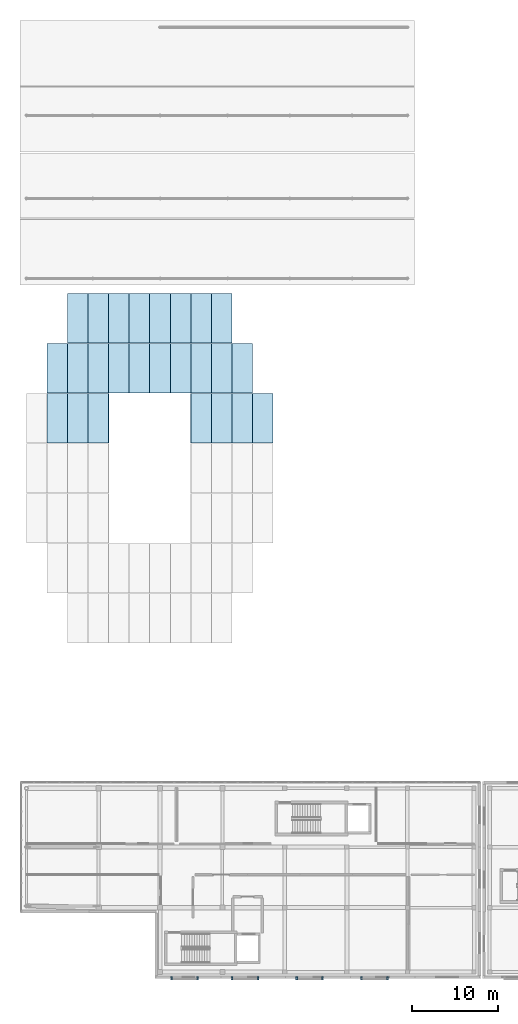
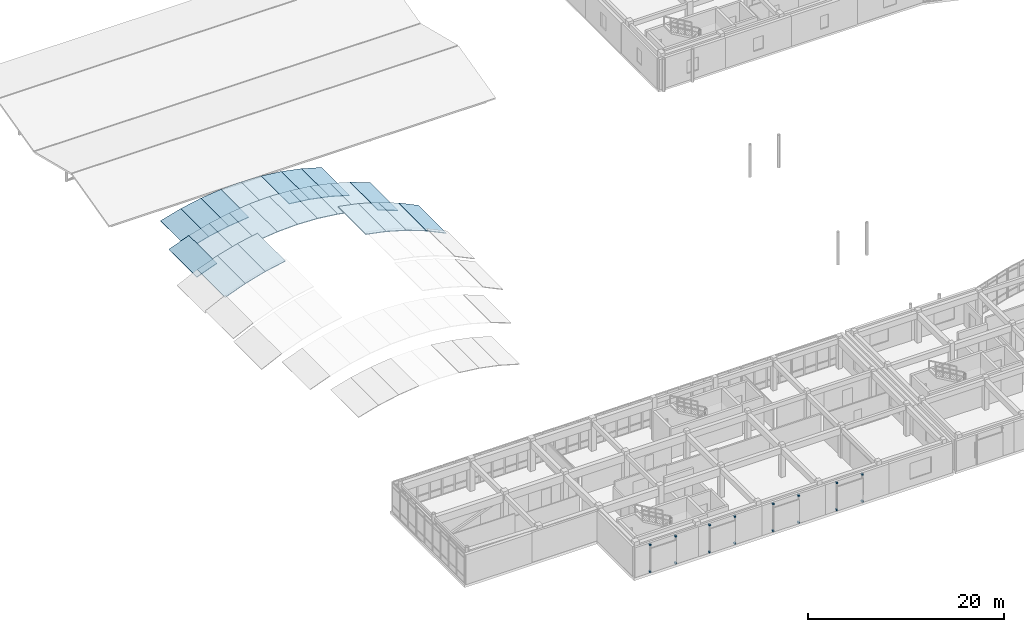
# One storey, part 85 of 91: 25 roofs, 16 discrete accessories.
"""IFC4 building model written with IfcOpenShell, lengths in metres."""

from ifc_helpers import new_model, si_unit, direction, frame, origin, origin_2d, place, context, subcontext, project, spatial, polyline, rectangle, outline, extrude, material, layer, layer_set, type_object, element, save


model = new_model("IFC4")

# Units and contexts
model_context = context("Model", 3, precision=1e-05, world=origin(), true_north=direction((0.0, 1.0)))
body_context = subcontext(model_context, "Body", "Model", "MODEL_VIEW")
ifc_project = project(units=[si_unit("LENGTHUNIT", "METRE"), si_unit("AREAUNIT", "SQUARE_METRE"), si_unit("VOLUMEUNIT", "CUBIC_METRE"), si_unit("PLANEANGLEUNIT", "RADIAN"), si_unit("MASSUNIT", "GRAM", prefix="KILO")], contexts=[model_context])

# Site, building, storey
site_placement = place(None, origin())
site = spatial("IfcSite", under=ifc_project, at=site_placement, CompositionType="ELEMENT")
building_placement = place(site_placement, origin())
building = spatial("IfcBuilding", under=site, at=building_placement, Name="Valcora Specialist Clinic", CompositionType="ELEMENT")
storey_placement = place(building_placement, frame((0.0, 0.0, 13.60009765625)))
storey = spatial("IfcBuildingStorey", under=building, at=storey_placement, Name="L03", CompositionType="ELEMENT", Elevation=13.60009765625)

# Roofs
ifc_material_1 = material(Name="Anodized Bronze Aluminium 6063-T6", Category="aluminium")
roof_type = type_object("IfcRoofType", Name="TY-RF-GS", PredefinedType="BARREL_ROOF", material=ifc_material_1)
roof_1_placement = place(storey_placement, frame((3.125, 61.93310546875, 1.83447265625), z_axis=(-0.352809417059, 0.0, 0.935695204238), x_axis=(0.935695204238, 0.0, 0.352809417059)))
element("IfcRoof", 1, at=roof_1_placement, inside=storey, type_object=roof_type, Name="Volume 1 parabolic gridshell vault facet 50", PredefinedType="BARREL_ROOF", context=body_context, shape_type="SweptSolid", body=[
    extrude(outline(polyline([(0.0, 0.0), (2.538219699365785, 0.0), (2.538219699365785, 5.705810546875001), (0.0, 5.705810546875001), (0.0, 0.0)])), origin(), (0.0, 0.0, -1.0), 0.080078125),
])
roof_2_placement = place(storey_placement, frame((5.5, 61.93310546875, 2.72998046875), z_axis=(-0.274407777259, 0.0, 0.961613421173), x_axis=(0.961613421173, 0.0, 0.274407777259)))
element("IfcRoof", 2, at=roof_2_placement, inside=storey, type_object=roof_type, Name="Volume 1 parabolic gridshell vault facet 51", PredefinedType="BARREL_ROOF", context=body_context, shape_type="SweptSolid", body=[
    extrude(outline(polyline([(0.0, 0.0), (2.4698074587013137, 0.0), (2.4698074587013137, 5.705810546875001), (0.0, 5.705810546875001), (0.0, 0.0)])), origin(), (0.0, 0.0, -1.0), 0.080078125),
])
for number, where, z_axis, x_axis, name in (
    (3, (7.875, 61.93310546875, 3.40771484375), (-0.19605798036, 0.0, 0.980592304853), (0.980592304853, 0.0, 0.19605798036), "Volume 1 parabolic gridshell vault facet 52"),
    (4, (19.75, 61.93310546875, 3.882568359375), (0.19605798036, 0.0, 0.980592304853), (0.980592304853, 0.0, -0.19605798036), "Volume 1 parabolic gridshell vault facet 57"),
):
    element("IfcRoof", number, at=place(storey_placement, frame(where, z_axis=z_axis, x_axis=x_axis)), inside=storey, type_object=roof_type, Name=name, PredefinedType="BARREL_ROOF", context=body_context, shape_type="SweptSolid", body=[
        extrude(outline(polyline([(0.0, 0.0), (2.4220055452664475, 0.0), (2.4220055452664475, 5.705810546875), (0.0, 5.705810546875), (0.0, 0.0)])), origin(), (0.0, 0.0, -1.0), 0.080078125),
    ])
roof_3_placement = place(storey_placement, frame((22.125, 61.93310546875, 3.40771484375), z_axis=(0.274407777259, 0.0, 0.961613421173), x_axis=(0.961613421173, 0.0, -0.274407777259)))
element("IfcRoof", 5, at=roof_3_placement, inside=storey, type_object=roof_type, Name="Volume 1 parabolic gridshell vault facet 58", PredefinedType="BARREL_ROOF", context=body_context, shape_type="SweptSolid", body=[
    extrude(outline(polyline([(0.0, 0.0), (2.4698074587013137, 0.0), (2.4698074587013137, 5.705810546875001), (0.0, 5.705810546875001), (0.0, 0.0)])), origin(), (0.0, 0.0, -1.0), 0.080078125),
])
roof_4_placement = place(storey_placement, frame((24.5, 61.93310546875, 2.72998046875), z_axis=(0.352809417059, 0.0, 0.935695204238), x_axis=(0.935695204238, 0.0, -0.352809417059)))
element("IfcRoof", 6, at=roof_4_placement, inside=storey, type_object=roof_type, Name="Volume 1 parabolic gridshell vault facet 59", PredefinedType="BARREL_ROOF", context=body_context, shape_type="SweptSolid", body=[
    extrude(outline(polyline([(0.0, 0.0), (2.538219699365785, 0.0), (2.538219699365785, 5.705810546875001), (0.0, 5.705810546875001), (0.0, 0.0)])), origin(), (0.0, 0.0, -1.0), 0.080078125),
])
roof_5_placement = place(storey_placement, frame((26.875, 61.93310546875, 1.83447265625), z_axis=(0.431265146028, 0.0, 0.902225234529), x_axis=(0.902225234529, 0.0, -0.431265146028)))
element("IfcRoof", 7, at=roof_5_placement, inside=storey, type_object=roof_type, Name="Volume 1 parabolic gridshell vault facet 60", PredefinedType="BARREL_ROOF", context=body_context, shape_type="SweptSolid", body=[
    extrude(outline(polyline([(0.0, 0.0), (2.632380373664848, 0.0), (2.632380373664848, 5.705810546875), (0.0, 5.705810546875), (0.0, 0.0)])), origin(), (0.0, 0.0, -1.0), 0.080078125),
])
roof_6_placement = place(storey_placement, frame((3.125, 67.718994140625, 0.853515625), z_axis=(-0.352809417059, 0.0, 0.935695204238), x_axis=(0.935695204238, 0.0, 0.352809417059)))
element("IfcRoof", 8, at=roof_6_placement, inside=storey, type_object=roof_type, Name="Volume 1 parabolic gridshell vault facet 62", PredefinedType="BARREL_ROOF", context=body_context, shape_type="SweptSolid", body=[
    extrude(outline(polyline([(0.0, 0.0), (2.538219699365785, 0.0), (2.538219699365785, 5.705078125000001), (0.0, 5.705078125000001), (0.0, 0.0)])), origin(), (0.0, 0.0, -1.0), 0.080078125),
])
roof_7_placement = place(storey_placement, frame((5.5, 67.718994140625, 1.7490234375), z_axis=(-0.27449918023, 0.0, 0.961587333555), x_axis=(0.961587333555, 0.0, 0.27449918023)))
element("IfcRoof", 9, at=roof_7_placement, inside=storey, type_object=roof_type, Name="Volume 1 parabolic gridshell vault facet 63", PredefinedType="BARREL_ROOF", context=body_context, shape_type="SweptSolid", body=[
    extrude(outline(polyline([(0.0, 0.0), (2.469874463945299, 0.0), (2.469874463945299, 5.705078125), (0.0, 5.705078125), (0.0, 0.0)])), origin(), (0.0, 0.0, -1.0), 0.080078125),
])
roof_8_placement = place(storey_placement, frame((7.875, 67.718994140625, 2.427001953125), z_axis=(-0.195961051132, 0.0, 0.980611679738), x_axis=(0.980611679738, 0.0, 0.195961051132)))
element("IfcRoof", 10, at=roof_8_placement, inside=storey, type_object=roof_type, Name="Volume 1 parabolic gridshell vault facet 64", PredefinedType="BARREL_ROOF", context=body_context, shape_type="SweptSolid", body=[
    extrude(outline(polyline([(0.0, 0.0), (2.4219576913806504, 0.0), (2.4219576913806504, 5.705078125000001), (0.0, 5.705078125000001), (0.0, 0.0)])), origin(), (0.0, 0.0, -1.0), 0.080078125),
])
roof_9_placement = place(storey_placement, frame((10.25, 67.718994140625, 2.901611328125), z_axis=(-0.117599343536, 0.0, 0.993061123194), x_axis=(0.993061123194, 0.0, 0.117599343536)))
element("IfcRoof", 11, at=roof_9_placement, inside=storey, type_object=roof_type, Name="Volume 1 parabolic gridshell vault facet 65", PredefinedType="BARREL_ROOF", context=body_context, shape_type="SweptSolid", body=[
    extrude(outline(polyline([(0.0, 0.0), (2.3915949829559353, 0.0), (2.3915949829559353, 5.705078125000001), (0.0, 5.705078125000001), (0.0, 0.0)])), origin(), (0.0, 0.0, -1.0), 0.080078125),
])
for number, where, z_axis, x_axis, name in (
    (12, (12.625, 67.718994140625, 3.182861328125), (-0.039237851707, 0.0, 0.999229898969), (0.999229898969, 0.0, 0.039237851707), "Volume 1 parabolic gridshell vault facet 66"),
    (13, (15.0, 67.718994140625, 3.276123046875), (0.039237851707, 0.0, 0.999229898969), (0.999229898969, 0.0, -0.039237851707), "Volume 1 parabolic gridshell vault facet 67"),
):
    element("IfcRoof", number, at=place(storey_placement, frame(where, z_axis=z_axis, x_axis=x_axis)), inside=storey, type_object=roof_type, Name=name, PredefinedType="BARREL_ROOF", context=body_context, shape_type="SweptSolid", body=[
        extrude(outline(polyline([(0.0, 0.0), (2.376830399541415, 0.0), (2.376830399541415, 5.705078125), (0.0, 5.705078125), (0.0, 0.0)])), origin(), (0.0, 0.0, -1.0), 0.080078125),
    ])
roof_10_placement = place(storey_placement, frame((17.375, 67.718994140625, 3.182861328125), z_axis=(0.117599343536, 0.0, 0.993061123194), x_axis=(0.993061123194, 0.0, -0.117599343536)))
element("IfcRoof", 14, at=roof_10_placement, inside=storey, type_object=roof_type, Name="Volume 1 parabolic gridshell vault facet 68", PredefinedType="BARREL_ROOF", context=body_context, shape_type="SweptSolid", body=[
    extrude(outline(polyline([(0.0, 0.0), (2.3915949829559353, 0.0), (2.3915949829559353, 5.705078125000001), (0.0, 5.705078125000001), (0.0, 0.0)])), origin(), (0.0, 0.0, -1.0), 0.080078125),
])
roof_11_placement = place(storey_placement, frame((19.75, 67.718994140625, 2.901611328125), z_axis=(0.195961051132, 0.0, 0.980611679738), x_axis=(0.980611679738, 0.0, -0.195961051132)))
element("IfcRoof", 15, at=roof_11_placement, inside=storey, type_object=roof_type, Name="Volume 1 parabolic gridshell vault facet 69", PredefinedType="BARREL_ROOF", context=body_context, shape_type="SweptSolid", body=[
    extrude(outline(polyline([(0.0, 0.0), (2.4219576913806504, 0.0), (2.4219576913806504, 5.705078125000001), (0.0, 5.705078125000001), (0.0, 0.0)])), origin(), (0.0, 0.0, -1.0), 0.080078125),
])
roof_12_placement = place(storey_placement, frame((22.125, 67.718994140625, 2.427001953125), z_axis=(0.27449918023, 0.0, 0.961587333555), x_axis=(0.961587333555, 0.0, -0.27449918023)))
element("IfcRoof", 16, at=roof_12_placement, inside=storey, type_object=roof_type, Name="Volume 1 parabolic gridshell vault facet 70", PredefinedType="BARREL_ROOF", context=body_context, shape_type="SweptSolid", body=[
    extrude(outline(polyline([(0.0, 0.0), (2.469874463945299, 0.0), (2.469874463945299, 5.705078125), (0.0, 5.705078125), (0.0, 0.0)])), origin(), (0.0, 0.0, -1.0), 0.080078125),
])
roof_13_placement = place(storey_placement, frame((24.5, 67.718994140625, 1.7490234375), z_axis=(0.352809417059, 0.0, 0.935695204238), x_axis=(0.935695204238, 0.0, -0.352809417059)))
element("IfcRoof", 17, at=roof_13_placement, inside=storey, type_object=roof_type, Name="Volume 1 parabolic gridshell vault facet 71", PredefinedType="BARREL_ROOF", context=body_context, shape_type="SweptSolid", body=[
    extrude(outline(polyline([(0.0, 0.0), (2.538219699365785, 0.0), (2.538219699365785, 5.705078125000001), (0.0, 5.705078125000001), (0.0, 0.0)])), origin(), (0.0, 0.0, -1.0), 0.080078125),
])
roof_14_placement = place(storey_placement, frame((5.5, 73.50390625, 0.070556640625), z_axis=(-0.274407777259, 0.0, 0.961613421173), x_axis=(0.961613421173, 0.0, 0.274407777259)))
element("IfcRoof", 18, at=roof_14_placement, inside=storey, type_object=roof_type, Name="Volume 1 parabolic gridshell vault facet 75", PredefinedType="BARREL_ROOF", context=body_context, shape_type="SweptSolid", body=[
    extrude(outline(polyline([(0.0, 0.0), (2.4698074587013137, 0.0), (2.4698074587013137, 5.706054687500001), (0.0, 5.706054687500001), (0.0, 0.0)])), origin(), (0.0, 0.0, -1.0), 0.080078125),
])
roof_15_placement = place(storey_placement, frame((7.875, 73.50390625, 0.748291015625), z_axis=(-0.19605798036, 0.0, 0.980592304853), x_axis=(0.980592304853, 0.0, 0.19605798036)))
element("IfcRoof", 19, at=roof_15_placement, inside=storey, type_object=roof_type, Name="Volume 1 parabolic gridshell vault facet 76", PredefinedType="BARREL_ROOF", context=body_context, shape_type="SweptSolid", body=[
    extrude(outline(polyline([(0.0, 0.0), (2.4220055452664475, 0.0), (2.4220055452664475, 5.7060546875), (0.0, 5.7060546875), (0.0, 0.0)])), origin(), (0.0, 0.0, -1.0), 0.080078125),
])
roof_16_placement = place(storey_placement, frame((10.25, 73.50390625, 1.22314453125), z_axis=(-0.117599343536, 0.0, 0.993061123194), x_axis=(0.993061123194, 0.0, 0.117599343536)))
element("IfcRoof", 20, at=roof_16_placement, inside=storey, type_object=roof_type, Name="Volume 1 parabolic gridshell vault facet 77", PredefinedType="BARREL_ROOF", context=body_context, shape_type="SweptSolid", body=[
    extrude(outline(polyline([(0.0, 0.0), (2.3915949829559353, 0.0), (2.3915949829559353, 5.706054687500001), (0.0, 5.706054687500001), (0.0, 0.0)])), origin(), (0.0, 0.0, -1.0), 0.080078125),
])
for number, where, z_axis, x_axis, name in (
    (21, (12.625, 73.50390625, 1.50439453125), (-0.039237851707, 0.0, 0.999229898969), (0.999229898969, 0.0, 0.039237851707), "Volume 1 parabolic gridshell vault facet 78"),
    (22, (15.0, 73.50390625, 1.59765625), (0.039237851707, 0.0, 0.999229898969), (0.999229898969, 0.0, -0.039237851707), "Volume 1 parabolic gridshell vault facet 79"),
):
    element("IfcRoof", number, at=place(storey_placement, frame(where, z_axis=z_axis, x_axis=x_axis)), inside=storey, type_object=roof_type, Name=name, PredefinedType="BARREL_ROOF", context=body_context, shape_type="SweptSolid", body=[
        extrude(outline(polyline([(0.0, 0.0), (2.376830399541415, 0.0), (2.376830399541415, 5.7060546875), (0.0, 5.7060546875), (0.0, 0.0)])), origin(), (0.0, 0.0, -1.0), 0.080078125),
    ])
roof_17_placement = place(storey_placement, frame((17.375, 73.50390625, 1.50439453125), z_axis=(0.117599343536, 0.0, 0.993061123194), x_axis=(0.993061123194, 0.0, -0.117599343536)))
element("IfcRoof", 23, at=roof_17_placement, inside=storey, type_object=roof_type, Name="Volume 1 parabolic gridshell vault facet 80", PredefinedType="BARREL_ROOF", context=body_context, shape_type="SweptSolid", body=[
    extrude(outline(polyline([(0.0, 0.0), (2.3915949829559353, 0.0), (2.3915949829559353, 5.706054687500001), (0.0, 5.706054687500001), (0.0, 0.0)])), origin(), (0.0, 0.0, -1.0), 0.080078125),
])
roof_18_placement = place(storey_placement, frame((19.75, 73.50390625, 1.22314453125), z_axis=(0.19605798036, 0.0, 0.980592304853), x_axis=(0.980592304853, 0.0, -0.19605798036)))
element("IfcRoof", 24, at=roof_18_placement, inside=storey, type_object=roof_type, Name="Volume 1 parabolic gridshell vault facet 81", PredefinedType="BARREL_ROOF", context=body_context, shape_type="SweptSolid", body=[
    extrude(outline(polyline([(0.0, 0.0), (2.4220055452664475, 0.0), (2.4220055452664475, 5.7060546875), (0.0, 5.7060546875), (0.0, 0.0)])), origin(), (0.0, 0.0, -1.0), 0.080078125),
])
roof_19_placement = place(storey_placement, frame((22.125, 73.50390625, 0.748291015625), z_axis=(0.274407777259, 0.0, 0.961613421173), x_axis=(0.961613421173, 0.0, -0.274407777259)))
element("IfcRoof", 25, at=roof_19_placement, inside=storey, type_object=roof_type, Name="Volume 1 parabolic gridshell vault facet 82", PredefinedType="BARREL_ROOF", context=body_context, shape_type="SweptSolid", body=[
    extrude(outline(polyline([(0.0, 0.0), (2.4698074587013137, 0.0), (2.4698074587013137, 5.706054687500001), (0.0, 5.706054687500001), (0.0, 0.0)])), origin(), (0.0, 0.0, -1.0), 0.080078125),
])

# Discrete accessories
ifc_material_2 = material(Name="Stainless Steel AISI 316", Category="steel")
ifc_layer = layer(ifc_material_2, 0.280029296875)
ifc_layer_set = layer_set([ifc_layer], Name="Stainless Steel AISI 316")
discrete_accessory_type = type_object("IfcDiscreteAccessoryType", Name="TY-DA-BRK250", PredefinedType="BRACKET", material=ifc_layer_set)
for number, where, z_axis, x_axis, name in (
    (26, (17.5, 0.030029296875, 0.08984375), (0.0, 0.0, 1.0), (1.0, 0.0, 0.0), "Stainless facade standoff bracket 121"),
    (27, (17.5, 0.030029296875, 3.44970703125), (0.0, 0.0, 1.0), (1.0, 0.0, 0.0), "Stainless facade standoff bracket 122"),
    (28, (20.5, 0.030029296875, 0.08984375), (0.0, 0.0, 1.0), (1.0, 0.0, 0.0), "Stainless facade standoff bracket 123"),
    (29, (20.5, 0.030029296875, 3.44970703125), (0.0, 0.0, 1.0), (1.0, 0.0, 0.0), "Stainless facade standoff bracket 124"),
    (30, (24.5, 0.030029296875, 0.08984375), (0.0, 0.0, 1.0), (1.0, 0.0, 0.0), "Stainless facade standoff bracket 125"),
    (31, (24.5, 0.030029296875, 3.44970703125), (0.0, 0.0, 1.0), (1.0, 0.0, 0.0), "Stainless facade standoff bracket 126"),
    (32, (27.5, 0.030029296875, 0.08984375), (0.0, 0.0, 1.0), (1.0, 0.0, 0.0), "Stainless facade standoff bracket 127"),
    (33, (27.5, 0.030029296875, 3.44970703125), (0.0, 0.0, 1.0), (1.0, 0.0, 0.0), "Stainless facade standoff bracket 128"),
    (34, (32.0, 0.030029296875, 0.08984375), (0.0, 0.0, 1.0), (1.0, 0.0, 0.0), "Stainless facade standoff bracket 129"),
    (35, (32.0, 0.030029296875, 3.44970703125), (0.0, 0.0, 1.0), (1.0, 0.0, 0.0), "Stainless facade standoff bracket 130"),
    (36, (35.0, 0.030029296875, 0.08984375), (0.0, 0.0, 1.0), (1.0, 0.0, 0.0), "Stainless facade standoff bracket 131"),
    (37, (35.0, 0.030029296875, 3.44970703125), (0.0, 0.0, 1.0), (1.0, 0.0, 0.0), "Stainless facade standoff bracket 132"),
    (38, (39.5, 0.030029296875, 0.08984375), (0.0, 0.0, 1.0), (1.0, 0.0, 0.0), "Stainless facade standoff bracket 133"),
    (39, (39.5, 0.030029296875, 3.44970703125), (0.0, 0.0, 1.0), (1.0, 0.0, 0.0), "Stainless facade standoff bracket 134"),
    (40, (42.5, 0.030029296875, 0.08984375), (0.0, 0.0, 1.0), (1.0, 0.0, 0.0), "Stainless facade standoff bracket 135"),
    (41, (42.5, 0.030029296875, 3.44970703125), (0.0, 0.0, 1.0), (1.0, 0.0, 0.0), "Stainless facade standoff bracket 136"),
):
    element("IfcDiscreteAccessory", number, at=place(storey_placement, frame(where, z_axis=z_axis, x_axis=x_axis)), inside=storey, type_object=discrete_accessory_type, Name=name, PredefinedType="BRACKET", context=body_context, shape_type="SweptSolid", body=[
        extrude(rectangle(XDim=0.179931640625, YDim=0.300048828125, at=origin_2d()), origin(), (0.0, 0.0, 1.0), 0.179931640625),
    ])

save(model, "model.ifc")
